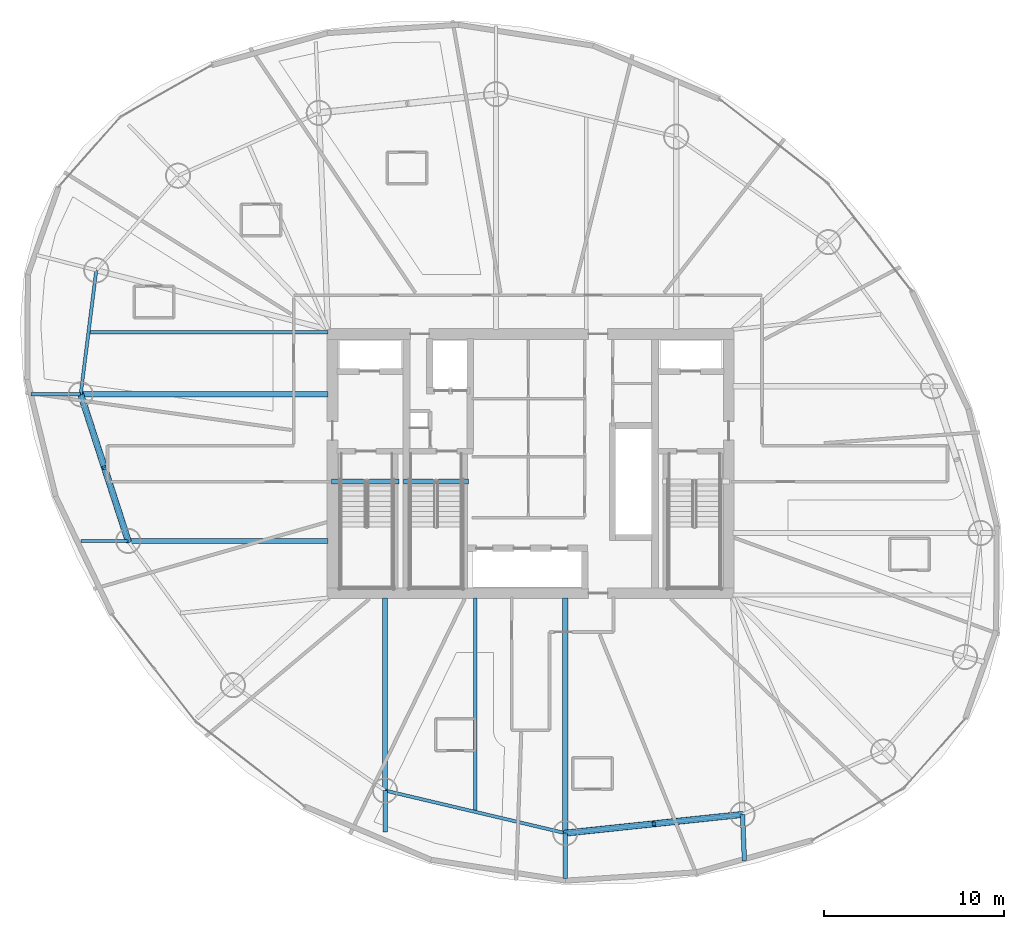
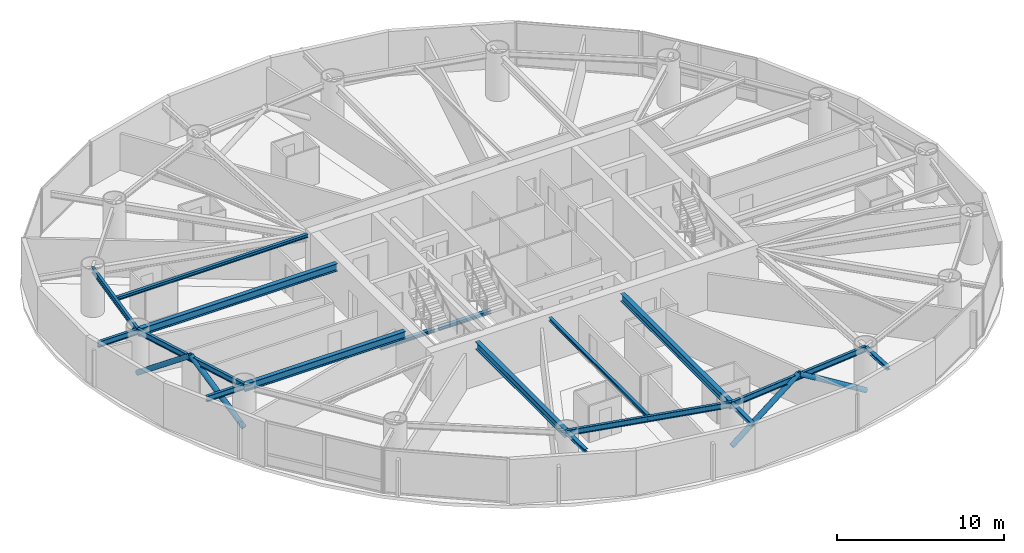
# One storey, part 4 of 20: 17 beams, 4 members.
"""IFC4 building model written with IfcOpenShell, lengths in metres."""

from ifc_helpers import new_model, si_unit, direction, frame, origin, origin_2d, place, context, subcontext, project, spatial, hollow_circle, i_section, extrude, material, material_profile, profile_set, type_object, element, save


model = new_model("IFC4")

# Units and contexts
model_context = context("Model", 3, precision=1e-05, world=origin(), true_north=direction((0.0, 1.0)))
body_context = subcontext(model_context, "Body", "Model", "MODEL_VIEW")
ifc_project = project(units=[si_unit("LENGTHUNIT", "METRE"), si_unit("AREAUNIT", "SQUARE_METRE"), si_unit("VOLUMEUNIT", "CUBIC_METRE"), si_unit("PLANEANGLEUNIT", "RADIAN"), si_unit("MASSUNIT", "GRAM", prefix="KILO")], contexts=[model_context])

# Site, building, storey
site_placement = place(None, origin())
site = spatial("IfcSite", under=ifc_project, at=site_placement, CompositionType="ELEMENT")
building_placement = place(site_placement, origin())
building = spatial("IfcBuilding", under=site, at=building_placement, Name="Bramvorn Convention Spire", CompositionType="ELEMENT")
storey_placement = place(building_placement, frame((0.0, 0.0, 151.800048828125)))
storey = spatial("IfcBuildingStorey", under=building, at=storey_placement, Name="L38", CompositionType="ELEMENT", Elevation=151.800048828125)

# Beams
ifc_material = material(Name="Steel CSA G40.21 Grade 350 (350W)", Category="steel")
ifc_material_profile_1 = material_profile(ifc_material, i_section(OverallWidth=0.201904296875, OverallDepth=0.2470703125, WebThickness=0.00732421875, FlangeThickness=0.010986328125, FilletRadius=0.011962890625, at=origin_2d()))
ifc_profile_set_1 = profile_set([ifc_material_profile_1], Name="Steel CSA G40.21 Grade 350 (350W) - W250X49")
beam_type_1 = type_object("IfcBeamType", Name="BM-W250X49", PredefinedType="JOIST", material=ifc_profile_set_1)
beam_1_placement = place(storey_placement, frame((26.75, 33.294921875, 3.136474609375), z_axis=(-1.0, 0.0, 0.0), x_axis=(0.0, -1.0, 0.0)))
element("IfcBeam", 1, at=beam_1_placement, inside=storey, type_object=beam_type_1, Name="L38 composite floor joist 09", PredefinedType="JOIST", context=body_context, shape_type="SweptSolid", body=[
    extrude(i_section(OverallWidth=0.201904296875, OverallDepth=0.2470703125, WebThickness=0.00732421875, FlangeThickness=0.010986328125, FilletRadius=0.011962890625, at=origin_2d()), origin(), (0.0, 0.0, 1.0), 13.30078125),
])
beam_2_placement = place(storey_placement, frame((34.920654296875, 18.550048828125, 3.136474609375), z_axis=(0.0, -1.0, 0.0), x_axis=(1.0, 0.0, 0.0)))
element("IfcBeam", 2, at=beam_2_placement, inside=storey, type_object=beam_type_1, Name="L38 composite floor joist 13", PredefinedType="JOIST", context=body_context, shape_type="SweptSolid", body=[
    extrude(i_section(OverallWidth=0.201904296875, OverallDepth=0.2470703125, WebThickness=0.00732421875, FlangeThickness=0.010986328125, FilletRadius=0.011962890625, at=origin_2d()), origin(), (0.0, 0.0, 1.0), 11.8857421875),
])
ifc_material_profile_2 = material_profile(ifc_material, i_section(OverallWidth=0.25390625, OverallDepth=0.2529296875, WebThickness=0.008544921875, FlangeThickness=0.01416015625, FilletRadius=0.011962890625, at=origin_2d()))
ifc_profile_set_2 = profile_set([ifc_material_profile_2], Name="Steel CSA G40.21 Grade 350 (350W) - W250X73")
beam_type_2 = type_object("IfcBeamType", Name="BM-W250X73", PredefinedType="BEAM", material=ifc_profile_set_2)
beam_3_placement = place(storey_placement, frame((29.917236328125, 7.845947265625, 3.1083984375), z_axis=(0.0, -1.0, 0.0), x_axis=(1.0, 0.0, 0.0)))
element("IfcBeam", 3, at=beam_3_placement, inside=storey, type_object=beam_type_2, Name="L38 slab-edge cantilever tip beam MC13", PredefinedType="BEAM", context=body_context, shape_type="SweptSolid", body=[
    extrude(i_section(OverallWidth=0.25390625, OverallDepth=0.2529296875, WebThickness=0.008544921875, FlangeThickness=0.01416015625, FilletRadius=0.011962890625, at=origin_2d()), origin(), (0.0, 0.0, 1.0), 2.303466796875),
])
beam_4_placement = place(storey_placement, frame((39.924072265625, 5.482666015625, 3.1083984375), z_axis=(0.0, -1.0, 0.0), x_axis=(1.0, 0.0, 0.0)))
element("IfcBeam", 4, at=beam_4_placement, inside=storey, type_object=beam_type_2, Name="L38 slab-edge cantilever tip beam MC14", PredefinedType="BEAM", context=body_context, shape_type="SweptSolid", body=[
    extrude(i_section(OverallWidth=0.25390625, OverallDepth=0.2529296875, WebThickness=0.008544921875, FlangeThickness=0.01416015625, FilletRadius=0.011962890625, at=origin_2d()), origin(), (0.0, 0.0, 1.0), 2.529296875),
])
beam_5_placement = place(storey_placement, frame((49.76171875, 6.521240234375, 3.1083984375), z_axis=(0.042587397703, -0.999092745223, 0.0), x_axis=(0.999092745223, 0.042587397703, 0.0)))
element("IfcBeam", 5, at=beam_5_placement, inside=storey, type_object=beam_type_2, Name="L38 slab-edge cantilever tip beam MC15", PredefinedType="BEAM", context=body_context, shape_type="SweptSolid", body=[
    extrude(i_section(OverallWidth=0.25390625, OverallDepth=0.2529296875, WebThickness=0.008544921875, FlangeThickness=0.01416015625, FilletRadius=0.011962890625, at=origin_2d()), origin(), (0.0, 0.0, 1.0), 2.568359375),
])
beam_6_placement = place(storey_placement, frame((26.949951171875, 25.010009765625, -0.12646484375), z_axis=(1.0, 0.0, 0.0), x_axis=(0.0, 1.0, 0.0)))
element("IfcBeam", 6, at=beam_6_placement, inside=storey, type_object=beam_type_2, Name="L38 ST1 stair arrival header beam", PredefinedType="BEAM", context=body_context, shape_type="SweptSolid", body=[
    extrude(i_section(OverallWidth=0.25390625, OverallDepth=0.2529296875, WebThickness=0.008544921875, FlangeThickness=0.01416015625, FilletRadius=0.011962890625, at=origin_2d()), origin(), (0.0, 0.0, 1.0), 3.739990234375),
])
beam_7_placement = place(storey_placement, frame((30.949951171875, 25.010009765625, -0.12646484375), z_axis=(1.0, 0.0, 0.0), x_axis=(0.0, 1.0, 0.0)))
element("IfcBeam", 7, at=beam_7_placement, inside=storey, type_object=beam_type_2, Name="L38 ST3 stair arrival header beam", PredefinedType="BEAM", context=body_context, shape_type="SweptSolid", body=[
    extrude(i_section(OverallWidth=0.25390625, OverallDepth=0.2529296875, WebThickness=0.008544921875, FlangeThickness=0.01416015625, FilletRadius=0.011962890625, at=origin_2d()), origin(), (0.0, 0.0, 1.0), 3.610107421875),
])
ifc_material_profile_3 = material_profile(ifc_material, i_section(OverallWidth=0.180908203125, OverallDepth=0.4169921875, WebThickness=0.010986328125, FlangeThickness=0.018310546875, FilletRadius=0.01611328125, at=origin_2d()))
ifc_profile_set_3 = profile_set([ifc_material_profile_3], Name="Steel CSA G40.21 Grade 350 (350W) - W410X85")
beam_type_3 = type_object("IfcBeamType", Name="BM-W410X85", PredefinedType="JOIST", material=ifc_profile_set_3)
beam_8_placement = place(storey_placement, frame((13.88232421875, 36.73779296875, 3.051513671875), z_axis=(-0.124775053879, -0.992185056292, 0.0), x_axis=(0.992185056292, -0.124775053879, 0.0)))
element("IfcBeam", 8, at=beam_8_placement, inside=storey, type_object=beam_type_3, Name="L38 mega-column ring beam 09", PredefinedType="JOIST", context=body_context, shape_type="SweptSolid", body=[
    extrude(i_section(OverallWidth=0.180908203125, OverallDepth=0.4169921875, WebThickness=0.010986328125, FlangeThickness=0.018310546875, FilletRadius=0.01611328125, at=origin_2d()), origin(), (0.0, 0.0, 1.0), 6.940185546875),
])
beam_9_placement = place(storey_placement, frame((13.016357421875, 29.851806640625, 3.0263671875), z_axis=(-1.0, 0.0, 0.0), x_axis=(0.0, -1.0, 0.0)))
element("IfcBeam", 9, at=beam_9_placement, inside=storey, type_object=beam_type_3, Name="L38 Sky-Garden cantilever tip girder MC10", PredefinedType="JOIST", context=body_context, shape_type="SweptSolid", body=[
    extrude(i_section(OverallWidth=0.180908203125, OverallDepth=0.4169921875, WebThickness=0.010986328125, FlangeThickness=0.018310546875, FilletRadius=0.01611328125, at=origin_2d()), origin(), (0.0, 0.0, 1.0), 2.758056640625),
])
beam_10_placement = place(storey_placement, frame((13.016357421875, 29.851806640625, 3.051513671875), z_axis=(0.308114853612, -0.951349166701, 0.0), x_axis=(0.951349166701, 0.308114853612, 0.0)))
element("IfcBeam", 10, at=beam_10_placement, inside=storey, type_object=beam_type_3, Name="L38 mega-column ring beam 10", PredefinedType="JOIST", context=body_context, shape_type="SweptSolid", body=[
    extrude(i_section(OverallWidth=0.180908203125, OverallDepth=0.4169921875, WebThickness=0.010986328125, FlangeThickness=0.018310546875, FilletRadius=0.01611328125, at=origin_2d()), origin(), (0.0, 0.0, 1.0), 8.5615234375),
])
beam_11_placement = place(storey_placement, frame((15.654296875, 21.706787109375, 3.0263671875), z_axis=(-1.0, 0.0, 0.0), x_axis=(0.0, -1.0, 0.0)))
element("IfcBeam", 11, at=beam_11_placement, inside=storey, type_object=beam_type_3, Name="L38 Sky-Garden cantilever tip girder MC11", PredefinedType="JOIST", context=body_context, shape_type="SweptSolid", body=[
    extrude(i_section(OverallWidth=0.180908203125, OverallDepth=0.4169921875, WebThickness=0.010986328125, FlangeThickness=0.018310546875, FilletRadius=0.01611328125, at=origin_2d()), origin(), (0.0, 0.0, 1.0), 2.60791015625),
])
beam_12_placement = place(storey_placement, frame((29.917236328125, 7.845947265625, 3.051513671875), z_axis=(0.97322750491, -0.229843911572, 0.0), x_axis=(0.229843911572, 0.97322750491, 0.0)))
element("IfcBeam", 12, at=beam_12_placement, inside=storey, type_object=beam_type_3, Name="L38 mega-column ring beam 13", PredefinedType="JOIST", context=body_context, shape_type="SweptSolid", body=[
    extrude(i_section(OverallWidth=0.180908203125, OverallDepth=0.4169921875, WebThickness=0.010986328125, FlangeThickness=0.018310546875, FilletRadius=0.01611328125, at=origin_2d()), origin(), (0.0, 0.0, 1.0), 10.2822265625),
])
beam_13_placement = place(storey_placement, frame((39.924072265625, 5.482666015625, 3.051513671875), z_axis=(0.994473491975, 0.104987969596, 0.0), x_axis=(-0.104987969596, 0.994473491975, 0.0)))
element("IfcBeam", 13, at=beam_13_placement, inside=storey, type_object=beam_type_3, Name="L38 mega-column ring beam 14", PredefinedType="JOIST", context=body_context, shape_type="SweptSolid", body=[
    extrude(i_section(OverallWidth=0.180908203125, OverallDepth=0.4169921875, WebThickness=0.010986328125, FlangeThickness=0.018310546875, FilletRadius=0.01611328125, at=origin_2d()), origin(), (0.0, 0.0, 1.0), 9.892333984375),
])
ifc_material_profile_4 = material_profile(ifc_material, i_section(OverallWidth=0.2919921875, OverallDepth=0.551025390625, WebThickness=0.01513671875, FlangeThickness=0.0244140625, FilletRadius=0.01904296875, at=origin_2d()))
ifc_profile_set_4 = profile_set([ifc_material_profile_4], Name="Steel CSA G40.21 Grade 350 (350W) - W530X182")
beam_type_4 = type_object("IfcBeamType", Name="BM-W530X182", PredefinedType="BEAM", material=ifc_profile_set_4)
beam_14_placement = place(storey_placement, frame((26.75, 29.851806640625, 2.95947265625), z_axis=(-1.0, 0.0, 0.0), x_axis=(0.0, -1.0, 0.0)))
element("IfcBeam", 14, at=beam_14_placement, inside=storey, type_object=beam_type_4, Name="L38 Sky-Garden back-span radial girder MC10", PredefinedType="BEAM", context=body_context, shape_type="SweptSolid", body=[
    extrude(i_section(OverallWidth=0.2919921875, OverallDepth=0.551025390625, WebThickness=0.01513671875, FlangeThickness=0.0244140625, FilletRadius=0.01904296875, at=origin_2d()), origin(), (0.0, 0.0, 1.0), 13.733642578125),
])
beam_15_placement = place(storey_placement, frame((26.75, 21.706787109375, 2.95947265625), z_axis=(-1.0, 0.0, 0.0), x_axis=(0.0, -1.0, 0.0)))
element("IfcBeam", 15, at=beam_15_placement, inside=storey, type_object=beam_type_4, Name="L38 Sky-Garden back-span radial girder MC11", PredefinedType="BEAM", context=body_context, shape_type="SweptSolid", body=[
    extrude(i_section(OverallWidth=0.2919921875, OverallDepth=0.551025390625, WebThickness=0.01513671875, FlangeThickness=0.0244140625, FilletRadius=0.01904296875, at=origin_2d()), origin(), (0.0, 0.0, 1.0), 11.095703125),
])
beam_16_placement = place(storey_placement, frame((29.917236328125, 18.550048828125, 2.984375), z_axis=(0.0, -1.0, 0.0), x_axis=(1.0, 0.0, 0.0)))
element("IfcBeam", 16, at=beam_16_placement, inside=storey, type_object=beam_type_4, Name="L38 radial floor girder MC13", PredefinedType="BEAM", context=body_context, shape_type="SweptSolid", body=[
    extrude(i_section(OverallWidth=0.2919921875, OverallDepth=0.551025390625, WebThickness=0.01513671875, FlangeThickness=0.0244140625, FilletRadius=0.01904296875, at=origin_2d()), origin(), (0.0, 0.0, 1.0), 10.7041015625),
])
beam_17_placement = place(storey_placement, frame((39.924072265625, 18.550048828125, 2.984375), z_axis=(0.0, -1.0, 0.0), x_axis=(1.0, 0.0, 0.0)))
element("IfcBeam", 17, at=beam_17_placement, inside=storey, type_object=beam_type_4, Name="L38 radial floor girder MC14", PredefinedType="BEAM", context=body_context, shape_type="SweptSolid", body=[
    extrude(i_section(OverallWidth=0.2919921875, OverallDepth=0.551025390625, WebThickness=0.01513671875, FlangeThickness=0.0244140625, FilletRadius=0.01904296875, at=origin_2d()), origin(), (0.0, 0.0, 1.0), 13.0673828125),
])

# Members
ifc_material_profile_5 = material_profile(ifc_material, hollow_circle(Radius=0.177734375, WallThickness=0.015869140625, at=origin_2d()))
ifc_profile_set_5 = profile_set([ifc_material_profile_5], Name="Steel CSA G40.21 Grade 350 (350W) - CHS356X16")
member_type = type_object("IfcMemberType", Name="MBR-CHS356X16", PredefinedType="BRACE", material=ifc_profile_set_5)
for number, where, z_axis, x_axis, name in (
    (18, (13.016357421875, 29.851806640625, 0.0), (0.245105274589, -0.75686802766, 0.605866481227), (0.951357525158, 0.308089044476, 0.0), "L38 perimeter Gothic lancet brace 10A"),
    (19, (15.654296875, 21.706787109375, 0.0), (-0.245147921079, 0.756859609759, 0.605859742768), (-0.951340807692, -0.308140662068, 0.0), "L38 perimeter Gothic lancet brace 10B"),
):
    element("IfcMember", number, at=place(storey_placement, frame(where, z_axis=z_axis, x_axis=x_axis)), inside=storey, type_object=member_type, Name=name, PredefinedType="BRACE", context=body_context, shape_type="SweptSolid", body=[
        extrude(hollow_circle(Radius=0.177734375, WallThickness=0.015869140625, at=origin_2d()), origin(), (0.0, 0.0, 1.0), 5.380859375),
    ])
member_1_placement = place(storey_placement, frame((39.924072265625, 5.482666015625, 0.0), z_axis=(0.830346972509, 0.087658725954, 0.550308870553), x_axis=(-0.104985392894, 0.994473763997, 0.0)))
element("IfcMember", 20, at=member_1_placement, inside=storey, type_object=member_type, Name="L38 perimeter Gothic lancet brace 14A", PredefinedType="BRACE", context=body_context, shape_type="SweptSolid", body=[
    extrude(hollow_circle(Radius=0.177734375, WallThickness=0.015869140625, at=origin_2d()), origin(), (0.0, 0.0, 1.0), 5.924072265625),
])
member_2_placement = place(storey_placement, frame((49.76171875, 6.521240234375, 0.0), z_axis=(-0.830334174424, -0.087661725766, 0.550327702937), x_axis=(0.104990546424, -0.994473219932, 0.0)))
element("IfcMember", 21, at=member_2_placement, inside=storey, type_object=member_type, Name="L38 perimeter Gothic lancet brace 14B", PredefinedType="BRACE", context=body_context, shape_type="SweptSolid", body=[
    extrude(hollow_circle(Radius=0.177734375, WallThickness=0.015869140625, at=origin_2d()), origin(), (0.0, 0.0, 1.0), 5.923828125),
])

save(model, "model.ifc")
